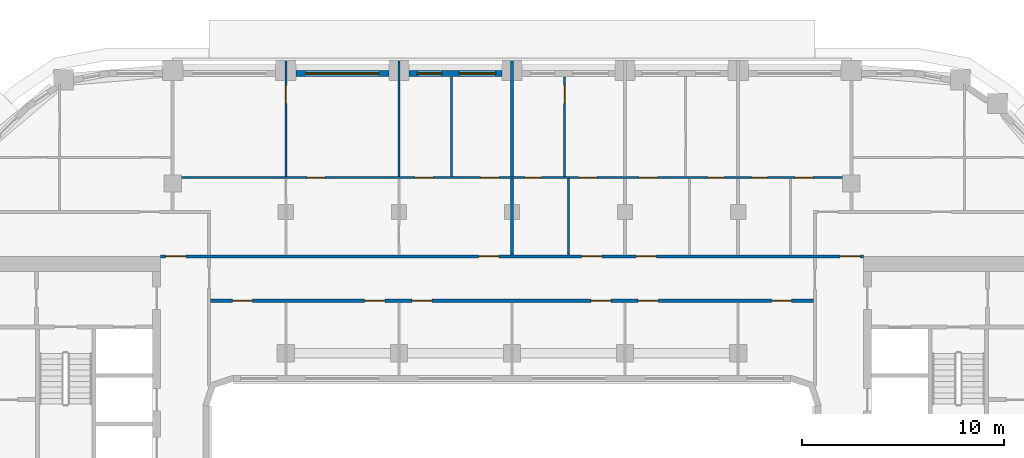
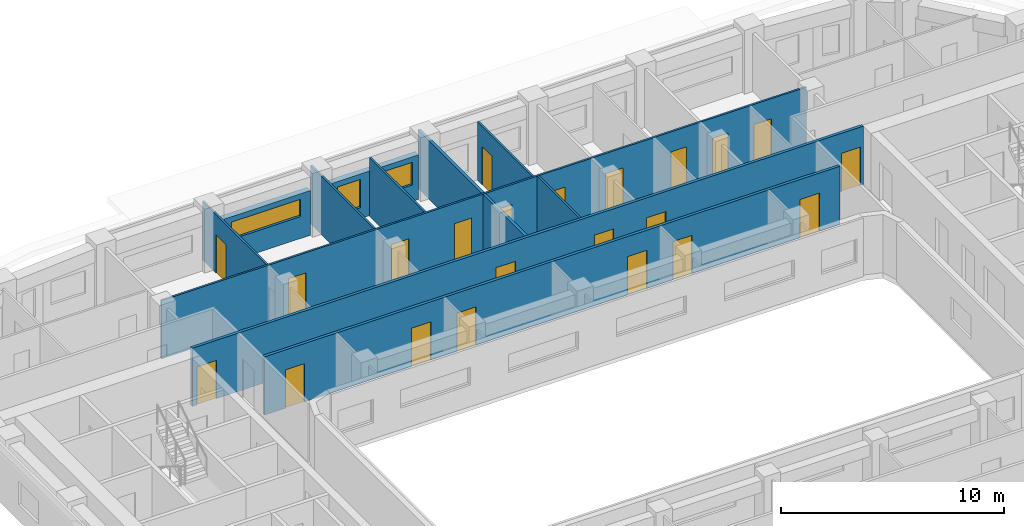
# One storey, part 8 of 22: 22 doors, 12 walls, 3 windows, 25 openings.
"""IFC4 building model written with IfcOpenShell, lengths in metres."""

import ifcopenshell
import ifcopenshell.guid

model = None  # the IFC model being written
_history = None  # IfcOwnerHistory: only IFC2X3 demands one
_inside = {}  # id of a spatial element -> (the spatial element, [elements in it])
_under = {}  # id of a project, library or spatial element -> (it, [spatial elements below it])
_declared = {}  # id of a project -> (the project, [libraries it declares])
_typed = {}  # id of a type object -> (the type object, [elements of that type])
_made_of = {}  # id of a material, layer set ... -> (it, [elements and type objects made of it])


def new_model(schema):
    """Start an empty IFC model of exactly this schema.

    Asked for "IFC4X3", IfcOpenShell would pick the latest addendum, in which some entities
    have other attributes; the version numbers below select the first issue.
    IFC2X3 requires an IfcOwnerHistory on every rooted entity: one is made here for all.
    """
    global model, _history
    if schema == "IFC4X3":
        model = ifcopenshell.file(schema_version=(4, 3, 0, 0))
    else:
        model = ifcopenshell.file(schema=schema)
    _inside.clear()
    _under.clear()
    _declared.clear()
    _typed.clear()
    _made_of.clear()
    _history = None
    if model.schema == "IFC2X3":
        org = make("IfcOrganization", Name="unknown")
        user = make(
            "IfcPersonAndOrganization",
            ThePerson=make("IfcPerson", FamilyName="unknown"),
            TheOrganization=org,
        )
        app = make(
            "IfcApplication",
            ApplicationDeveloper=org,
            Version="unknown",
            ApplicationFullName="unknown",
            ApplicationIdentifier="unknown",
        )
        _history = make(
            "IfcOwnerHistory",
            OwningUser=user,
            OwningApplication=app,
            ChangeAction="ADDED",
            CreationDate=0,
        )
    return model


def make(cls, **values):
    """One entity of the class cls with the attributes given. An attribute that is None is left unset."""
    return model.create_entity(
        cls, **{name: value for name, value in values.items() if value is not None}
    )


def rooted(cls, **values):
    """An entity with a GlobalId (a new one), such as an element, a storey or a relation."""
    return make(cls, GlobalId=ifcopenshell.guid.new(), OwnerHistory=_history, **values)


def si_unit(unit_type, name, prefix=None):
    """IfcSIUnit, for example si_unit("LENGTHUNIT", "METRE", prefix="MILLI")."""
    return make("IfcSIUnit", UnitType=unit_type, Prefix=prefix, Name=name)


def assignment(units):
    """IfcUnitAssignment: the units of a project."""
    return None if units is None else make("IfcUnitAssignment", Units=units)


def point(xyz):
    """IfcCartesianPoint."""
    return None if xyz is None else make("IfcCartesianPoint", Coordinates=xyz)


def direction(xyz):
    """IfcDirection."""
    return None if xyz is None else make("IfcDirection", DirectionRatios=xyz)


def frame(location, z_axis=None, x_axis=None):
    """IfcAxis2Placement3D, a coordinate frame: its origin and axes. An axis left out is left unset."""
    return make(
        "IfcAxis2Placement3D",
        Location=point(location),
        Axis=direction(z_axis),
        RefDirection=direction(x_axis),
    )


def frame_2d(location, x_axis=None):
    """IfcAxis2Placement2D, a coordinate frame in the plane: its origin and x axis."""
    return make(
        "IfcAxis2Placement2D", Location=point(location), RefDirection=direction(x_axis)
    )


def origin():
    """The frame at (0, 0, 0) with its axes left unset."""
    return frame((0.0, 0.0, 0.0))


def place(relative_to, where):
    """IfcLocalPlacement: puts the frame where relative to a parent placement (None: the world)."""
    return make(
        "IfcLocalPlacement", PlacementRelTo=relative_to, RelativePlacement=where
    )


def context(
    kind, dimensions, precision=None, world=None, true_north=None, identifier=None
):
    """IfcGeometricRepresentationContext, for example the 3D "Model" context."""
    return make(
        "IfcGeometricRepresentationContext",
        ContextIdentifier=identifier,
        ContextType=kind,
        CoordinateSpaceDimension=dimensions,
        Precision=precision,
        WorldCoordinateSystem=world,
        TrueNorth=true_north,
    )


def subcontext(parent, identifier, kind, view, scale=None):
    """IfcGeometricRepresentationSubContext, for example "Body" below "Model"."""
    return make(
        "IfcGeometricRepresentationSubContext",
        ContextIdentifier=identifier,
        ContextType=kind,
        ParentContext=parent,
        TargetScale=scale,
        TargetView=view,
    )


def project(units=None, contexts=None):
    """IfcProject with its units and contexts."""
    return rooted(
        "IfcProject",
        Name="project",
        RepresentationContexts=contexts,
        UnitsInContext=assignment(units),
    )


def spatial(cls, under=None, at=None, **own):
    """A site, building, storey or space (cls), placed at a placement, below another one or the project."""
    s = rooted(cls, ObjectPlacement=at, **own)
    if under is not None:
        _under.setdefault(under.id(), (under, []))[1].append(s)
    return s


def profile(cls, at=None, kind="AREA", **sizes):
    """A parametric profile (cls). Its sizes go by their IFC names, for example OverallWidth=200.0."""
    return make(cls, ProfileType=kind, Position=at, **sizes)


def rectangle(**sizes):
    """IfcRectangleProfileDef."""
    return profile("IfcRectangleProfileDef", **sizes)


def extrude(swept, where, along, depth):
    """IfcExtrudedAreaSolid: the profile swept, set in the frame where, extruded along a direction by depth."""
    return make(
        "IfcExtrudedAreaSolid",
        SweptArea=swept,
        Position=where,
        ExtrudedDirection=direction(along),
        Depth=depth,
    )


def shape(context_of_items, identifier, shape_type, items):
    """IfcShapeRepresentation: the items that make up one representation, for example the "Body"."""
    return make(
        "IfcShapeRepresentation",
        ContextOfItems=context_of_items,
        RepresentationIdentifier=identifier,
        RepresentationType=shape_type,
        Items=items,
    )


def material(Name=None, Category=None):
    """IfcMaterial."""
    return make("IfcMaterial", Name=Name, Category=Category)


def layer(
    of_material, thickness, ventilated=None, Name=None, Category=None, Priority=None
):
    """IfcMaterialLayer: one layer of a wall or slab, of a material (None: an air gap)."""
    return make(
        "IfcMaterialLayer",
        Material=of_material,
        LayerThickness=thickness,
        IsVentilated=ventilated,
        Name=Name,
        Category=Category,
        Priority=Priority,
    )


def layer_set(layers, Name=None):
    """IfcMaterialLayerSet."""
    return make("IfcMaterialLayerSet", MaterialLayers=layers, LayerSetName=Name)


def made_of(thing, what):
    """Note that an element or type object is made of a material, layer set ...; save() writes the relation."""
    if what is not None:
        _made_of.setdefault(what.id(), (what, []))[1].append(thing)
    return thing


def type_object(cls, material=None, **own):
    """A type object (cls), such as IfcWallType, which elements share."""
    return made_of(rooted(cls, **own), material)


def element(
    cls,
    number,
    at=None,
    inside=None,
    cuts=None,
    type_object=None,
    material=None,
    context=None,
    identifier="Body",
    shape_type=None,
    held_by="IfcProductDefinitionShape",
    body=None,
    shapes=None,
    **own,
):
    """One element of the class cls, such as IfcWall. Its Tag is "e" and its number.

    at: its placement. inside: the storey or other place that contains it. cuts: it is an
    opening in that element (IfcRelVoidsElement). A single representation is given by context,
    identifier, shape_type and body (its items); several are given by shapes. held_by: the class
    of the entity that holds the representations. save() writes the other relations.
    """
    e = rooted(cls, Tag="e%d" % number, ObjectPlacement=at, **own)
    if body is not None:
        shapes = [shape(context, identifier, shape_type, body)]
    if shapes is not None:
        e.Representation = make(held_by, Representations=shapes)
    if inside is not None:
        _inside.setdefault(inside.id(), (inside, []))[1].append(e)
    if cuts is not None:
        rooted(
            "IfcRelVoidsElement", RelatingBuildingElement=cuts, RelatedOpeningElement=e
        )
    if type_object is not None:
        _typed.setdefault(type_object.id(), (type_object, []))[1].append(e)
    return made_of(e, material)


def fill(opening, filler):
    """IfcRelFillsElement: the door or window that sits in an opening."""
    return rooted(
        "IfcRelFillsElement",
        RelatingOpeningElement=opening,
        RelatedBuildingElement=filler,
    )


def aggregate(whole, parts):
    """IfcRelAggregates: a whole, such as a stair, and the parts it consists of."""
    return rooted("IfcRelAggregates", RelatingObject=whole, RelatedObjects=parts)


def save(model, path):
    """Write the relations noted so far, then the file.

    IfcRelAggregates (storeys below a building ...), IfcRelContainedInSpatialStructure (elements
    in a storey), IfcRelDefinesByType, IfcRelAssociatesMaterial and IfcRelDeclares: one each for
    every whole, place, type object, material and project.
    """
    for whole, parts in _under.values():
        aggregate(whole, parts)
    for where, things in _inside.values():
        rooted(
            "IfcRelContainedInSpatialStructure",
            RelatedElements=things,
            RelatingStructure=where,
        )
    for kind, things in _typed.values():
        rooted("IfcRelDefinesByType", RelatedObjects=things, RelatingType=kind)
    for what, things in _made_of.values():
        rooted("IfcRelAssociatesMaterial", RelatedObjects=things, RelatingMaterial=what)
    for by, libraries in _declared.values():
        rooted("IfcRelDeclares", RelatingContext=by, RelatedDefinitions=libraries)
    model.write(path)


model = new_model("IFC4")

# Units and contexts
model_context = context("Model", 3, precision=1e-05, world=origin(), true_north=direction((0.0, 1.0)))
body_context = subcontext(model_context, "Body", "Model", "MODEL_VIEW")
ifc_project = project(units=[si_unit("LENGTHUNIT", "METRE"), si_unit("AREAUNIT", "SQUARE_METRE"), si_unit("VOLUMEUNIT", "CUBIC_METRE"), si_unit("PLANEANGLEUNIT", "RADIAN"), si_unit("MASSUNIT", "GRAM", prefix="KILO")], contexts=[model_context])

# Site, building, storey
site_placement = place(None, origin())
site = spatial("IfcSite", under=ifc_project, at=site_placement, CompositionType="ELEMENT")
building_placement = place(site_placement, origin())
building = spatial("IfcBuilding", under=site, at=building_placement, Name="Kiln Ring Residences", CompositionType="ELEMENT")
storey_placement = place(building_placement, frame((0.0, 0.0, 164.10009765625)))
storey = spatial("IfcBuildingStorey", under=building, at=storey_placement, Name="L42", CompositionType="ELEMENT", Elevation=164.10009765625)

# Wall, openings, windows
ifc_material_1 = material(Name="Brick masonry, dark clay brick", Category="masonry")
ifc_layer_1 = layer(ifc_material_1, 0.300048828125)
ifc_layer_set_1 = layer_set([ifc_layer_1], Name="EW-300 BRICK WALL")
wall_type_1 = type_object("IfcWallType", Name="EW-300 BRICK WALL", PredefinedType="SOLIDWALL", material=ifc_layer_set_1)
wall_1_placement = place(storey_placement, frame((-0.5, 22.25, 0.0), z_axis=(0.0, 0.0, 1.0), x_axis=(-1.0, 0.0, 0.0)))
wall_1 = element("IfcWall", 1, at=wall_1_placement, inside=storey, type_object=wall_type_1, Name="Facade wall L42 32", PredefinedType="SOLIDWALL", context=body_context, shape_type="SweptSolid", body=[
    extrude(rectangle(XDim=4.60009765625, YDim=0.300048828125, at=frame_2d((2.300048828125, 0.0))), origin(), (0.0, 0.0, 1.0), 2.449951171875),
])
opening_1_placement = place(wall_1_placement, frame((0.3125, 0.0, 0.89990234375)))
opening_1 = element("IfcOpeningElement", 2, at=opening_1_placement, cuts=wall_1, Name="Opening W2", PredefinedType="OPENING", context=body_context, shape_type="SweptSolid", body=[
    extrude(rectangle(XDim=1.800048828125, YDim=1.25, at=frame_2d((0.89990234375, 0.625))), frame((0.0, 0.159912109375, 0.0), z_axis=(0.0, -1.0, 0.0), x_axis=(1.0, 0.0, 0.0)), (0.0, 0.0, 1.0), 0.320068359375),
])
opening_2_placement = place(wall_1_placement, frame((2.987548828125, 0.0, 0.60009765625)))
opening_2 = element("IfcOpeningElement", 3, at=opening_2_placement, cuts=wall_1, Name="Opening W1", PredefinedType="OPENING", context=body_context, shape_type="SweptSolid", body=[
    extrude(rectangle(XDim=1.199951171875, YDim=1.550048828125, at=frame_2d((0.60009765625, 0.77490234375))), frame((0.0, 0.159912109375, 0.0), z_axis=(0.0, -1.0, 0.0), x_axis=(1.0, 0.0, 0.0)), (0.0, 0.0, 1.0), 0.320068359375),
])
ifc_material_2 = material(Name="Aluminium frame with double glazing", Category="aluminium")
window_type_1 = type_object("IfcWindowType", Name="WINDOW 1200 x 1550", PartitioningType="SINGLE_PANEL", PredefinedType="WINDOW", material=ifc_material_2)
window_1_placement = place(opening_2_placement, origin())
window_1 = element("IfcWindow", 4, at=window_1_placement, inside=storey, type_object=window_type_1, Name="Window L42 25", OverallHeight=1.550048828125, OverallWidth=1.199951171875, PartitioningType="SINGLE_PANEL", PredefinedType="WINDOW", context=body_context, shape_type="SweptSolid", body=[
    extrude(rectangle(XDim=1.199951171875, YDim=1.550048828125, at=frame_2d((0.60009765625, 0.77490234375))), frame((0.0, 0.030029296875, 0.0), z_axis=(0.0, -1.0, 0.0), x_axis=(1.0, 0.0, 0.0)), (0.0, 0.0, 1.0), 0.06005859375),
])
fill(opening_2, window_1)
ifc_material_3 = material(Name="Aluminium frame with double glazing", Category="aluminium")
window_type_2 = type_object("IfcWindowType", Name="WINDOW 1800 x 1250", PartitioningType="SINGLE_PANEL", PredefinedType="WINDOW", material=ifc_material_3)
window_2_placement = place(opening_1_placement, origin())
window_2 = element("IfcWindow", 5, at=window_2_placement, inside=storey, type_object=window_type_2, Name="Window L42 24", OverallHeight=1.25, OverallWidth=1.800048828125, PartitioningType="SINGLE_PANEL", PredefinedType="WINDOW", context=body_context, shape_type="SweptSolid", body=[
    extrude(rectangle(XDim=1.800048828125, YDim=1.25, at=frame_2d((0.89990234375, 0.625))), frame((0.0, 0.030029296875, 0.0), z_axis=(0.0, -1.0, 0.0), x_axis=(1.0, 0.0, 0.0)), (0.0, 0.0, 1.0), 0.06005859375),
])
fill(opening_1, window_2)

# Wall, opening, window
wall_2_placement = place(storey_placement, frame((-6.10009765625, 22.25, 0.0), z_axis=(0.0, 0.0, 1.0), x_axis=(-1.0, 0.0, 0.0)))
wall_2 = element("IfcWall", 6, at=wall_2_placement, inside=storey, type_object=wall_type_1, Name="Facade wall L42 33", PredefinedType="SOLIDWALL", context=body_context, shape_type="SweptSolid", body=[
    extrude(rectangle(XDim=4.599853515625, YDim=0.300048828125, at=frame_2d((2.2998046875, 0.0))), origin(), (0.0, 0.0, 1.0), 2.449951171875),
])
opening_3_placement = place(wall_2_placement, frame((0.5, 0.0, 1.199951171875)))
opening_3 = element("IfcOpeningElement", 7, at=opening_3_placement, cuts=wall_2, Name="Opening W4", PredefinedType="OPENING", context=body_context, shape_type="SweptSolid", body=[
    extrude(rectangle(XDim=3.60009765625, YDim=0.949951171875, at=frame_2d((1.800048828125, 0.47509765625))), frame((0.0, 0.159912109375, 0.0), z_axis=(0.0, -1.0, 0.0), x_axis=(1.0, 0.0, 0.0)), (0.0, 0.0, 1.0), 0.320068359375),
])
ifc_material_4 = material(Name="Aluminium frame with double glazing", Category="aluminium")
window_type_3 = type_object("IfcWindowType", Name="WINDOW 3600 x 950", PartitioningType="SINGLE_PANEL", PredefinedType="WINDOW", material=ifc_material_4)
window_3_placement = place(opening_3_placement, origin())
window_3 = element("IfcWindow", 8, at=window_3_placement, inside=storey, type_object=window_type_3, Name="Window L42 26", OverallHeight=0.949951171875, OverallWidth=3.60009765625, PartitioningType="SINGLE_PANEL", PredefinedType="WINDOW", context=body_context, shape_type="SweptSolid", body=[
    extrude(rectangle(XDim=3.60009765625, YDim=0.949951171875, at=frame_2d((1.800048828125, 0.47509765625))), frame((0.0, 0.030029296875, 0.0), z_axis=(0.0, -1.0, 0.0), x_axis=(1.0, 0.0, 0.0)), (0.0, 0.0, 1.0), 0.06005859375),
])
fill(opening_3, window_3)

# Wall, openings, doors
ifc_material_5 = material(Name="Gypsum board on steel studs", Category="steel")
ifc_layer_2 = layer(ifc_material_5, 0.10009765625)
ifc_layer_set_2 = layer_set([ifc_layer_2], Name="PARTITION-100")
wall_type_2 = type_object("IfcWallType", Name="PARTITION-100", PredefinedType="PARTITIONING", material=ifc_layer_set_2)
wall_3_placement = place(storey_placement, frame((-16.72509765625, 17.10009765625, 0.0), z_axis=(0.0, 0.0, 1.0), x_axis=(1.0, 0.0, 0.0)))
wall_3 = element("IfcWall", 9, at=wall_3_placement, inside=storey, type_object=wall_type_2, Name="Partition 011", PredefinedType="PARTITIONING", context=body_context, shape_type="SweptSolid", body=[
    extrude(rectangle(XDim=33.4501953125, YDim=0.10009765625, at=frame_2d((16.72509765625, 0.0))), origin(), (0.0, 0.0, 1.0), 3.199951171875),
])
opening_4_placement = place(wall_3_placement, frame((11.925048828125, 0.0, 0.0)))
opening_4 = element("IfcOpeningElement", 10, at=opening_4_placement, cuts=wall_3, Name="Opening L42-D018", PredefinedType="OPENING", context=body_context, shape_type="SweptSolid", body=[
    extrude(rectangle(XDim=0.89990234375, YDim=2.10009765625, at=frame_2d((0.449951171875, 1.050048828125))), frame((0.0, 0.06005859375, 0.0), z_axis=(0.0, -1.0, 0.0), x_axis=(1.0, 0.0, 0.0)), (0.0, 0.0, 1.0), 0.1201171875),
])
opening_5_placement = place(wall_3_placement, frame((15.175048828125, 0.0, 0.0)))
opening_5 = element("IfcOpeningElement", 11, at=opening_5_placement, cuts=wall_3, Name="Opening L42-D019", PredefinedType="OPENING", context=body_context, shape_type="SweptSolid", body=[
    extrude(rectangle(XDim=0.89990234375, YDim=2.10009765625, at=frame_2d((0.449951171875, 1.050048828125))), frame((0.0, 0.06005859375, 0.0), z_axis=(0.0, -1.0, 0.0), x_axis=(1.0, 0.0, 0.0)), (0.0, 0.0, 1.0), 0.1201171875),
])
opening_6_placement = place(wall_3_placement, frame((6.574951171875, 0.0, 0.0)))
opening_6 = element("IfcOpeningElement", 12, at=opening_6_placement, cuts=wall_3, Name="Opening L42-D020", PredefinedType="OPENING", context=body_context, shape_type="SweptSolid", body=[
    extrude(rectangle(XDim=0.89990234375, YDim=2.10009765625, at=frame_2d((0.449951171875, 1.050048828125))), frame((0.0, 0.06005859375, 0.0), z_axis=(0.0, -1.0, 0.0), x_axis=(1.0, 0.0, 0.0)), (0.0, 0.0, 1.0), 0.1201171875),
])
opening_7_placement = place(wall_3_placement, frame((17.375, 0.0, 0.0)))
opening_7 = element("IfcOpeningElement", 13, at=opening_7_placement, cuts=wall_3, Name="Opening L42-D023", PredefinedType="OPENING", context=body_context, shape_type="SweptSolid", body=[
    extrude(rectangle(XDim=0.800048828125, YDim=2.10009765625, at=frame_2d((0.39990234375, 1.050048828125))), frame((0.0, 0.06005859375, 0.0), z_axis=(0.0, -1.0, 0.0), x_axis=(1.0, 0.0, 0.0)), (0.0, 0.0, 1.0), 0.1201171875),
])
opening_8_placement = place(wall_3_placement, frame((20.02490234375, 0.0, 0.0)))
opening_8 = element("IfcOpeningElement", 14, at=opening_8_placement, cuts=wall_3, Name="Opening L42-D024", PredefinedType="OPENING", context=body_context, shape_type="SweptSolid", body=[
    extrude(rectangle(XDim=0.89990234375, YDim=2.10009765625, at=frame_2d((0.449951171875, 1.050048828125))), frame((0.0, 0.06005859375, 0.0), z_axis=(0.0, -1.0, 0.0), x_axis=(1.0, 0.0, 0.0)), (0.0, 0.0, 1.0), 0.1201171875),
])
opening_9_placement = place(wall_3_placement, frame((26.425048828125, 0.0, 0.0)))
opening_9 = element("IfcOpeningElement", 15, at=opening_9_placement, cuts=wall_3, Name="Opening L42-D027", PredefinedType="OPENING", context=body_context, shape_type="SweptSolid", body=[
    extrude(rectangle(XDim=0.800048828125, YDim=2.10009765625, at=frame_2d((0.39990234375, 1.050048828125))), frame((0.0, 0.06005859375, 0.0), z_axis=(0.0, -1.0, 0.0), x_axis=(1.0, 0.0, 0.0)), (0.0, 0.0, 1.0), 0.1201171875),
])
opening_10_placement = place(wall_3_placement, frame((23.02490234375, 0.0, 0.0)))
opening_10 = element("IfcOpeningElement", 16, at=opening_10_placement, cuts=wall_3, Name="Opening L42-D028", PredefinedType="OPENING", context=body_context, shape_type="SweptSolid", body=[
    extrude(rectangle(XDim=0.89990234375, YDim=2.10009765625, at=frame_2d((0.449951171875, 1.050048828125))), frame((0.0, 0.06005859375, 0.0), z_axis=(0.0, -1.0, 0.0), x_axis=(1.0, 0.0, 0.0)), (0.0, 0.0, 1.0), 0.1201171875),
])
opening_11_placement = place(wall_3_placement, frame((28.574951171875, 0.0, 0.0)))
opening_11 = element("IfcOpeningElement", 17, at=opening_11_placement, cuts=wall_3, Name="Opening L42-D031", PredefinedType="OPENING", context=body_context, shape_type="SweptSolid", body=[
    extrude(rectangle(XDim=0.800048828125, YDim=2.10009765625, at=frame_2d((0.39990234375, 1.050048828125))), frame((0.0, 0.06005859375, 0.0), z_axis=(0.0, -1.0, 0.0), x_axis=(1.0, 0.0, 0.0)), (0.0, 0.0, 1.0), 0.1201171875),
])
opening_12_placement = place(wall_3_placement, frame((30.72509765625, 0.0, 0.0)))
opening_12 = element("IfcOpeningElement", 18, at=opening_12_placement, cuts=wall_3, Name="Opening L42-D032", PredefinedType="OPENING", context=body_context, shape_type="SweptSolid", body=[
    extrude(rectangle(XDim=0.89990234375, YDim=2.10009765625, at=frame_2d((0.449951171875, 1.050048828125))), frame((0.0, 0.06005859375, 0.0), z_axis=(0.0, -1.0, 0.0), x_axis=(1.0, 0.0, 0.0)), (0.0, 0.0, 1.0), 0.1201171875),
])
ifc_material_6 = material(Name="Timber door leaf", Category="wood")
door_type_1 = type_object("IfcDoorType", Name="FLAT-DOOR-800-PL", OperationType="SINGLE_SWING_LEFT", PredefinedType="DOOR", material=ifc_material_6)
door_1_placement = place(opening_7_placement, origin())
door_1 = element("IfcDoor", 19, at=door_1_placement, inside=storey, type_object=door_type_1, Name="Door L42-D023", OperationType="SINGLE_SWING_LEFT", OverallHeight=2.10009765625, OverallWidth=0.800048828125, PredefinedType="DOOR", context=body_context, shape_type="SweptSolid", body=[
    extrude(rectangle(XDim=0.800048828125, YDim=2.10009765625, at=frame_2d((0.39990234375, 1.050048828125))), frame((0.0, 0.02490234375, 0.0), z_axis=(0.0, -1.0, 0.0), x_axis=(1.0, 0.0, 0.0)), (0.0, 0.0, 1.0), 0.050048828125),
])
fill(opening_7, door_1)
door_2_placement = place(opening_9_placement, origin())
door_2 = element("IfcDoor", 20, at=door_2_placement, inside=storey, type_object=door_type_1, Name="Door L42-D027", OperationType="SINGLE_SWING_LEFT", OverallHeight=2.10009765625, OverallWidth=0.800048828125, PredefinedType="DOOR", context=body_context, shape_type="SweptSolid", body=[
    extrude(rectangle(XDim=0.800048828125, YDim=2.10009765625, at=frame_2d((0.39990234375, 1.050048828125))), frame((0.0, 0.02490234375, 0.0), z_axis=(0.0, -1.0, 0.0), x_axis=(1.0, 0.0, 0.0)), (0.0, 0.0, 1.0), 0.050048828125),
])
fill(opening_9, door_2)
door_3_placement = place(opening_11_placement, origin())
door_3 = element("IfcDoor", 21, at=door_3_placement, inside=storey, type_object=door_type_1, Name="Door L42-D031", OperationType="SINGLE_SWING_LEFT", OverallHeight=2.10009765625, OverallWidth=0.800048828125, PredefinedType="DOOR", context=body_context, shape_type="SweptSolid", body=[
    extrude(rectangle(XDim=0.800048828125, YDim=2.10009765625, at=frame_2d((0.39990234375, 1.050048828125))), frame((0.0, 0.02490234375, 0.0), z_axis=(0.0, -1.0, 0.0), x_axis=(1.0, 0.0, 0.0)), (0.0, 0.0, 1.0), 0.050048828125),
])
fill(opening_11, door_3)
ifc_material_7 = material(Name="Timber door leaf", Category="wood")
door_type_2 = type_object("IfcDoorType", Name="FLAT-DOOR-900-PL", OperationType="SINGLE_SWING_LEFT", PredefinedType="DOOR", material=ifc_material_7)
door_4_placement = place(opening_4_placement, origin())
door_4 = element("IfcDoor", 22, at=door_4_placement, inside=storey, type_object=door_type_2, Name="Door L42-D018", OperationType="SINGLE_SWING_RIGHT", OverallHeight=2.10009765625, OverallWidth=0.89990234375, PredefinedType="DOOR", context=body_context, shape_type="SweptSolid", body=[
    extrude(rectangle(XDim=0.89990234375, YDim=2.10009765625, at=frame_2d((0.449951171875, 1.050048828125))), frame((0.0, 0.02490234375, 0.0), z_axis=(0.0, -1.0, 0.0), x_axis=(1.0, 0.0, 0.0)), (0.0, 0.0, 1.0), 0.050048828125),
])
fill(opening_4, door_4)
door_5_placement = place(opening_5_placement, origin())
door_5 = element("IfcDoor", 23, at=door_5_placement, inside=storey, type_object=door_type_2, Name="Door L42-D019", OperationType="SINGLE_SWING_LEFT", OverallHeight=2.10009765625, OverallWidth=0.89990234375, PredefinedType="DOOR", context=body_context, shape_type="SweptSolid", body=[
    extrude(rectangle(XDim=0.89990234375, YDim=2.10009765625, at=frame_2d((0.449951171875, 1.050048828125))), frame((0.0, 0.02490234375, 0.0), z_axis=(0.0, -1.0, 0.0), x_axis=(1.0, 0.0, 0.0)), (0.0, 0.0, 1.0), 0.050048828125),
])
fill(opening_5, door_5)
door_6_placement = place(opening_6_placement, origin())
door_6 = element("IfcDoor", 24, at=door_6_placement, inside=storey, type_object=door_type_2, Name="Door L42-D020", OperationType="SINGLE_SWING_RIGHT", OverallHeight=2.10009765625, OverallWidth=0.89990234375, PredefinedType="DOOR", context=body_context, shape_type="SweptSolid", body=[
    extrude(rectangle(XDim=0.89990234375, YDim=2.10009765625, at=frame_2d((0.449951171875, 1.050048828125))), frame((0.0, 0.02490234375, 0.0), z_axis=(0.0, -1.0, 0.0), x_axis=(1.0, 0.0, 0.0)), (0.0, 0.0, 1.0), 0.050048828125),
])
fill(opening_6, door_6)
door_7_placement = place(opening_8_placement, origin())
door_7 = element("IfcDoor", 25, at=door_7_placement, inside=storey, type_object=door_type_2, Name="Door L42-D024", OperationType="SINGLE_SWING_RIGHT", OverallHeight=2.10009765625, OverallWidth=0.89990234375, PredefinedType="DOOR", context=body_context, shape_type="SweptSolid", body=[
    extrude(rectangle(XDim=0.89990234375, YDim=2.10009765625, at=frame_2d((0.449951171875, 1.050048828125))), frame((0.0, 0.02490234375, 0.0), z_axis=(0.0, -1.0, 0.0), x_axis=(1.0, 0.0, 0.0)), (0.0, 0.0, 1.0), 0.050048828125),
])
fill(opening_8, door_7)
door_8_placement = place(opening_10_placement, origin())
door_8 = element("IfcDoor", 26, at=door_8_placement, inside=storey, type_object=door_type_2, Name="Door L42-D028", OperationType="SINGLE_SWING_RIGHT", OverallHeight=2.10009765625, OverallWidth=0.89990234375, PredefinedType="DOOR", context=body_context, shape_type="SweptSolid", body=[
    extrude(rectangle(XDim=0.89990234375, YDim=2.10009765625, at=frame_2d((0.449951171875, 1.050048828125))), frame((0.0, 0.02490234375, 0.0), z_axis=(0.0, -1.0, 0.0), x_axis=(1.0, 0.0, 0.0)), (0.0, 0.0, 1.0), 0.050048828125),
])
fill(opening_10, door_8)
door_9_placement = place(opening_12_placement, origin())
door_9 = element("IfcDoor", 27, at=door_9_placement, inside=storey, type_object=door_type_2, Name="Door L42-D032", OperationType="SINGLE_SWING_RIGHT", OverallHeight=2.10009765625, OverallWidth=0.89990234375, PredefinedType="DOOR", context=body_context, shape_type="SweptSolid", body=[
    extrude(rectangle(XDim=0.89990234375, YDim=2.10009765625, at=frame_2d((0.449951171875, 1.050048828125))), frame((0.0, 0.02490234375, 0.0), z_axis=(0.0, -1.0, 0.0), x_axis=(1.0, 0.0, 0.0)), (0.0, 0.0, 1.0), 0.050048828125),
])
fill(opening_12, door_9)

# Wall, opening, door
wall_4_placement = place(storey_placement, frame((-11.199951171875, 17.14990234375, 0.0), z_axis=(0.0, 0.0, 1.0), x_axis=(0.0, 1.0, 0.0)))
wall_4 = element("IfcWall", 28, at=wall_4_placement, inside=storey, type_object=wall_type_2, Name="Partition 029", PredefinedType="PARTITIONING", context=body_context, shape_type="SweptSolid", body=[
    extrude(rectangle(XDim=5.72998046875, YDim=0.10009765625, at=frame_2d((2.864990234375, 0.0))), origin(), (0.0, 0.0, 1.0), 3.199951171875),
])
opening_13_placement = place(wall_4_placement, frame((3.610107421875, 0.0, 0.0)))
opening_13 = element("IfcOpeningElement", 29, at=opening_13_placement, cuts=wall_4, Name="Opening L42-D021", PredefinedType="OPENING", context=body_context, shape_type="SweptSolid", body=[
    extrude(rectangle(XDim=0.89990234375, YDim=2.10009765625, at=frame_2d((0.449951171875, 1.050048828125))), frame((0.0, 0.06005859375, 0.0), z_axis=(0.0, -1.0, 0.0), x_axis=(1.0, 0.0, 0.0)), (0.0, 0.0, 1.0), 0.1201171875),
])
door_10_placement = place(opening_13_placement, origin())
door_10 = element("IfcDoor", 30, at=door_10_placement, inside=storey, type_object=door_type_2, Name="Door L42-D021", OperationType="SINGLE_SWING_LEFT", OverallHeight=2.10009765625, OverallWidth=0.89990234375, PredefinedType="DOOR", context=body_context, shape_type="SweptSolid", body=[
    extrude(rectangle(XDim=0.89990234375, YDim=2.10009765625, at=frame_2d((0.449951171875, 1.050048828125))), frame((0.0, 0.02490234375, 0.0), z_axis=(0.0, -1.0, 0.0), x_axis=(1.0, 0.0, 0.0)), (0.0, 0.0, 1.0), 0.050048828125),
])
fill(opening_13, door_10)

# Walls
wall_5_placement = place(storey_placement, frame((-5.60009765625, 17.14990234375, 0.0), z_axis=(0.0, 0.0, 1.0), x_axis=(0.0, 1.0, 0.0)))
element("IfcWall", 31, at=wall_5_placement, inside=storey, type_object=wall_type_2, Name="Partition 036", PredefinedType="PARTITIONING", context=body_context, shape_type="SweptSolid", body=[
    extrude(rectangle(XDim=5.72998046875, YDim=0.10009765625, at=frame_2d((2.864990234375, 0.0))), origin(), (0.0, 0.0, 1.0), 3.199951171875),
])
wall_6_placement = place(storey_placement, frame((-3.0, 17.14990234375, 0.0), z_axis=(0.0, 0.0, 1.0), x_axis=(0.0, 1.0, 0.0)))
element("IfcWall", 32, at=wall_6_placement, inside=storey, type_object=wall_type_2, Name="Partition 039", PredefinedType="PARTITIONING", context=body_context, shape_type="SweptSolid", body=[
    extrude(rectangle(XDim=4.93017578125, YDim=0.10009765625, at=frame_2d((2.465087890625, 0.0))), origin(), (0.0, 0.0, 1.0), 3.199951171875),
])

# Wall, opening, door
wall_7_placement = place(storey_placement, frame((2.60009765625, 17.14990234375, 0.0), z_axis=(0.0, 0.0, 1.0), x_axis=(0.0, 1.0, 0.0)))
wall_7 = element("IfcWall", 33, at=wall_7_placement, inside=storey, type_object=wall_type_2, Name="Partition 047", PredefinedType="PARTITIONING", context=body_context, shape_type="SweptSolid", body=[
    extrude(rectangle(XDim=4.93017578125, YDim=0.10009765625, at=frame_2d((2.465087890625, 0.0))), origin(), (0.0, 0.0, 1.0), 3.199951171875),
])
opening_14_placement = place(wall_7_placement, frame((3.610107421875, 0.0, 0.0)))
opening_14 = element("IfcOpeningElement", 34, at=opening_14_placement, cuts=wall_7, Name="Opening L42-D025", PredefinedType="OPENING", context=body_context, shape_type="SweptSolid", body=[
    extrude(rectangle(XDim=0.89990234375, YDim=2.10009765625, at=frame_2d((0.449951171875, 1.050048828125))), frame((0.0, 0.06005859375, 0.0), z_axis=(0.0, -1.0, 0.0), x_axis=(1.0, 0.0, 0.0)), (0.0, 0.0, 1.0), 0.1201171875),
])
door_11_placement = place(opening_14_placement, origin())
door_11 = element("IfcDoor", 35, at=door_11_placement, inside=storey, type_object=door_type_2, Name="Door L42-D025", OperationType="SINGLE_SWING_LEFT", OverallHeight=2.10009765625, OverallWidth=0.89990234375, PredefinedType="DOOR", context=body_context, shape_type="SweptSolid", body=[
    extrude(rectangle(XDim=0.89990234375, YDim=2.10009765625, at=frame_2d((0.449951171875, 1.050048828125))), frame((0.0, 0.02490234375, 0.0), z_axis=(0.0, -1.0, 0.0), x_axis=(1.0, 0.0, 0.0)), (0.0, 0.0, 1.0), 0.050048828125),
])
fill(opening_14, door_11)

# Wall
wall_8_placement = place(storey_placement, frame((2.800048828125, 13.27490234375, 0.0), z_axis=(0.0, 0.0, 1.0), x_axis=(0.0, 1.0, 0.0)))
element("IfcWall", 36, at=wall_8_placement, inside=storey, type_object=wall_type_2, Name="Partition 048", PredefinedType="PARTITIONING", context=body_context, shape_type="SweptSolid", body=[
    extrude(rectangle(XDim=3.775146484375, YDim=0.10009765625, at=frame_2d((1.8876953125, 0.0))), origin(), (0.0, 0.0, 1.0), 3.199951171875),
])

# Wall, openings, doors
ifc_material_8 = material(Name="Brick masonry partition", Category="masonry")
ifc_layer_3 = layer(ifc_material_8, 0.14990234375)
ifc_layer_set_3 = layer_set([ifc_layer_3], Name="PARTITION-150-ei60")
wall_type_3 = type_object("IfcWallType", Name="PARTITION-150-ei60", PredefinedType="PARTITIONING", material=ifc_layer_set_3)
wall_9_placement = place(storey_placement, frame((-14.925048828125, 11.0, 0.0), z_axis=(0.0, 0.0, 1.0), x_axis=(1.0, 0.0, 0.0)))
wall_9 = element("IfcWall", 37, at=wall_9_placement, inside=storey, type_object=wall_type_3, Name="Partition 007", PredefinedType="PARTITIONING", context=body_context, shape_type="SweptSolid", body=[
    extrude(rectangle(XDim=29.85009765625, YDim=0.14990234375, at=frame_2d((14.925048828125, 0.0))), origin(), (0.0, 0.0, 1.0), 3.199951171875),
])
opening_15_placement = place(wall_9_placement, frame((1.075927734375, 0.0, 0.0)))
opening_15 = element("IfcOpeningElement", 38, at=opening_15_placement, cuts=wall_9, Name="Opening L42-D009", PredefinedType="OPENING", context=body_context, shape_type="SweptSolid", body=[
    extrude(rectangle(XDim=1.0, YDim=2.10009765625, at=frame_2d((0.5, 1.050048828125))), frame((0.0, 0.0849609375, 0.0), z_axis=(0.0, -1.0, 0.0), x_axis=(1.0, 0.0, 0.0)), (0.0, 0.0, 1.0), 0.169921875),
])
opening_16_placement = place(wall_9_placement, frame((7.625, 0.0, 0.0)))
opening_16 = element("IfcOpeningElement", 39, at=opening_16_placement, cuts=wall_9, Name="Opening L42-D010", PredefinedType="OPENING", context=body_context, shape_type="SweptSolid", body=[
    extrude(rectangle(XDim=1.0, YDim=2.10009765625, at=frame_2d((0.5, 1.050048828125))), frame((0.0, 0.0849609375, 0.0), z_axis=(0.0, -1.0, 0.0), x_axis=(1.0, 0.0, 0.0)), (0.0, 0.0, 1.0), 0.169921875),
])
opening_17_placement = place(wall_9_placement, frame((9.97509765625, 0.0, 0.0)))
opening_17 = element("IfcOpeningElement", 40, at=opening_17_placement, cuts=wall_9, Name="Opening L42-D011", PredefinedType="OPENING", context=body_context, shape_type="SweptSolid", body=[
    extrude(rectangle(XDim=1.0, YDim=2.10009765625, at=frame_2d((0.5, 1.050048828125))), frame((0.0, 0.0849609375, 0.0), z_axis=(0.0, -1.0, 0.0), x_axis=(1.0, 0.0, 0.0)), (0.0, 0.0, 1.0), 0.169921875),
])
opening_18_placement = place(wall_9_placement, frame((18.824951171875, 0.0, 0.0)))
opening_18 = element("IfcOpeningElement", 41, at=opening_18_placement, cuts=wall_9, Name="Opening L42-D012", PredefinedType="OPENING", context=body_context, shape_type="SweptSolid", body=[
    extrude(rectangle(XDim=1.0, YDim=2.10009765625, at=frame_2d((0.5, 1.050048828125))), frame((0.0, 0.0849609375, 0.0), z_axis=(0.0, -1.0, 0.0), x_axis=(1.0, 0.0, 0.0)), (0.0, 0.0, 1.0), 0.169921875),
])
opening_19_placement = place(wall_9_placement, frame((21.175048828125, 0.0, 0.0)))
opening_19 = element("IfcOpeningElement", 42, at=opening_19_placement, cuts=wall_9, Name="Opening L42-D013", PredefinedType="OPENING", context=body_context, shape_type="SweptSolid", body=[
    extrude(rectangle(XDim=1.0, YDim=2.10009765625, at=frame_2d((0.5, 1.050048828125))), frame((0.0, 0.0849609375, 0.0), z_axis=(0.0, -1.0, 0.0), x_axis=(1.0, 0.0, 0.0)), (0.0, 0.0, 1.0), 0.169921875),
])
opening_20_placement = place(wall_9_placement, frame((27.77490234375, 0.0, 0.0)))
opening_20 = element("IfcOpeningElement", 43, at=opening_20_placement, cuts=wall_9, Name="Opening L42-D014", PredefinedType="OPENING", context=body_context, shape_type="SweptSolid", body=[
    extrude(rectangle(XDim=1.0, YDim=2.10009765625, at=frame_2d((0.5, 1.050048828125))), frame((0.0, 0.0849609375, 0.0), z_axis=(0.0, -1.0, 0.0), x_axis=(1.0, 0.0, 0.0)), (0.0, 0.0, 1.0), 0.169921875),
])
ifc_material_9 = material(Name="Steel faced fire door leaf", Category="steel")
door_type_3 = type_object("IfcDoorType", Name="FLAT-DOOR-1000-FR", OperationType="SINGLE_SWING_LEFT", PredefinedType="DOOR", material=ifc_material_9)
door_12_placement = place(opening_15_placement, origin())
door_12 = element("IfcDoor", 44, at=door_12_placement, inside=storey, type_object=door_type_3, Name="Door L42-D009", OperationType="SINGLE_SWING_LEFT", OverallHeight=2.10009765625, OverallWidth=1.0, PredefinedType="DOOR", context=body_context, shape_type="SweptSolid", body=[
    extrude(rectangle(XDim=1.0, YDim=2.10009765625, at=frame_2d((0.5, 1.050048828125))), frame((0.0, 0.02490234375, 0.0), z_axis=(0.0, -1.0, 0.0), x_axis=(1.0, 0.0, 0.0)), (0.0, 0.0, 1.0), 0.050048828125),
])
fill(opening_15, door_12)
door_13_placement = place(opening_16_placement, origin())
door_13 = element("IfcDoor", 45, at=door_13_placement, inside=storey, type_object=door_type_3, Name="Door L42-D010", OperationType="SINGLE_SWING_RIGHT", OverallHeight=2.10009765625, OverallWidth=1.0, PredefinedType="DOOR", context=body_context, shape_type="SweptSolid", body=[
    extrude(rectangle(XDim=1.0, YDim=2.10009765625, at=frame_2d((0.5, 1.050048828125))), frame((0.0, 0.02490234375, 0.0), z_axis=(0.0, -1.0, 0.0), x_axis=(1.0, 0.0, 0.0)), (0.0, 0.0, 1.0), 0.050048828125),
])
fill(opening_16, door_13)
door_14_placement = place(opening_17_placement, origin())
door_14 = element("IfcDoor", 46, at=door_14_placement, inside=storey, type_object=door_type_3, Name="Door L42-D011", OperationType="SINGLE_SWING_LEFT", OverallHeight=2.10009765625, OverallWidth=1.0, PredefinedType="DOOR", context=body_context, shape_type="SweptSolid", body=[
    extrude(rectangle(XDim=1.0, YDim=2.10009765625, at=frame_2d((0.5, 1.050048828125))), frame((0.0, 0.02490234375, 0.0), z_axis=(0.0, -1.0, 0.0), x_axis=(1.0, 0.0, 0.0)), (0.0, 0.0, 1.0), 0.050048828125),
])
fill(opening_17, door_14)
door_15_placement = place(opening_18_placement, origin())
door_15 = element("IfcDoor", 47, at=door_15_placement, inside=storey, type_object=door_type_3, Name="Door L42-D012", OperationType="SINGLE_SWING_RIGHT", OverallHeight=2.10009765625, OverallWidth=1.0, PredefinedType="DOOR", context=body_context, shape_type="SweptSolid", body=[
    extrude(rectangle(XDim=1.0, YDim=2.10009765625, at=frame_2d((0.5, 1.050048828125))), frame((0.0, 0.02490234375, 0.0), z_axis=(0.0, -1.0, 0.0), x_axis=(1.0, 0.0, 0.0)), (0.0, 0.0, 1.0), 0.050048828125),
])
fill(opening_18, door_15)
door_16_placement = place(opening_19_placement, origin())
door_16 = element("IfcDoor", 48, at=door_16_placement, inside=storey, type_object=door_type_3, Name="Door L42-D013", OperationType="SINGLE_SWING_LEFT", OverallHeight=2.10009765625, OverallWidth=1.0, PredefinedType="DOOR", context=body_context, shape_type="SweptSolid", body=[
    extrude(rectangle(XDim=1.0, YDim=2.10009765625, at=frame_2d((0.5, 1.050048828125))), frame((0.0, 0.02490234375, 0.0), z_axis=(0.0, -1.0, 0.0), x_axis=(1.0, 0.0, 0.0)), (0.0, 0.0, 1.0), 0.050048828125),
])
fill(opening_19, door_16)
door_17_placement = place(opening_20_placement, origin())
door_17 = element("IfcDoor", 49, at=door_17_placement, inside=storey, type_object=door_type_3, Name="Door L42-D014", OperationType="SINGLE_SWING_RIGHT", OverallHeight=2.10009765625, OverallWidth=1.0, PredefinedType="DOOR", context=body_context, shape_type="SweptSolid", body=[
    extrude(rectangle(XDim=1.0, YDim=2.10009765625, at=frame_2d((0.5, 1.050048828125))), frame((0.0, 0.02490234375, 0.0), z_axis=(0.0, -1.0, 0.0), x_axis=(1.0, 0.0, 0.0)), (0.0, 0.0, 1.0), 0.050048828125),
])
fill(opening_20, door_17)

wall_10_placement = place(storey_placement, frame((-17.39990234375, 13.199951171875, 0.0), z_axis=(0.0, 0.0, 1.0), x_axis=(1.0, 0.0, 0.0)))
wall_10 = element("IfcWall", 50, at=wall_10_placement, inside=storey, type_object=wall_type_3, Name="Partition 008", PredefinedType="PARTITIONING", context=body_context, shape_type="SweptSolid", body=[
    extrude(rectangle(XDim=34.7998046875, YDim=0.14990234375, at=frame_2d((17.39990234375, 0.0))), origin(), (0.0, 0.0, 1.0), 3.199951171875),
])
opening_21_placement = place(wall_10_placement, frame((0.25, 0.0, 0.0)))
opening_21 = element("IfcOpeningElement", 51, at=opening_21_placement, cuts=wall_10, Name="Opening L42-D003", PredefinedType="OPENING", context=body_context, shape_type="SweptSolid", body=[
    extrude(rectangle(XDim=1.0, YDim=2.10009765625, at=frame_2d((0.5, 1.050048828125))), frame((0.0, 0.0849609375, 0.0), z_axis=(0.0, -1.0, 0.0), x_axis=(1.0, 0.0, 0.0)), (0.0, 0.0, 1.0), 0.169921875),
])
opening_22_placement = place(wall_10_placement, frame((33.64990234375, 0.0, 0.0)))
opening_22 = element("IfcOpeningElement", 52, at=opening_22_placement, cuts=wall_10, Name="Opening L42-D004", PredefinedType="OPENING", context=body_context, shape_type="SweptSolid", body=[
    extrude(rectangle(XDim=1.0, YDim=2.10009765625, at=frame_2d((0.5, 1.050048828125))), frame((0.0, 0.0849609375, 0.0), z_axis=(0.0, -1.0, 0.0), x_axis=(1.0, 0.0, 0.0)), (0.0, 0.0, 1.0), 0.169921875),
])
opening_23_placement = place(wall_10_placement, frame((15.75, 0.0, 0.0)))
opening_23 = element("IfcOpeningElement", 53, at=opening_23_placement, cuts=wall_10, Name="Opening L42-D015", PredefinedType="OPENING", context=body_context, shape_type="SweptSolid", body=[
    extrude(rectangle(XDim=1.0, YDim=2.10009765625, at=frame_2d((0.5, 1.050048828125))), frame((0.0, 0.0849609375, 0.0), z_axis=(0.0, -1.0, 0.0), x_axis=(1.0, 0.0, 0.0)), (0.0, 0.0, 1.0), 0.169921875),
])
opening_24_placement = place(wall_10_placement, frame((20.85009765625, 0.0, 0.0)))
opening_24 = element("IfcOpeningElement", 54, at=opening_24_placement, cuts=wall_10, Name="Opening L42-D022", PredefinedType="OPENING", context=body_context, shape_type="SweptSolid", body=[
    extrude(rectangle(XDim=1.0, YDim=2.10009765625, at=frame_2d((0.5, 1.050048828125))), frame((0.0, 0.0849609375, 0.0), z_axis=(0.0, -1.0, 0.0), x_axis=(1.0, 0.0, 0.0)), (0.0, 0.0, 1.0), 0.169921875),
])
opening_25_placement = place(wall_10_placement, frame((23.550048828125, 0.0, 0.0)))
opening_25 = element("IfcOpeningElement", 55, at=opening_25_placement, cuts=wall_10, Name="Opening L42-D026", PredefinedType="OPENING", context=body_context, shape_type="SweptSolid", body=[
    extrude(rectangle(XDim=1.0, YDim=2.10009765625, at=frame_2d((0.5, 1.050048828125))), frame((0.0, 0.0849609375, 0.0), z_axis=(0.0, -1.0, 0.0), x_axis=(1.0, 0.0, 0.0)), (0.0, 0.0, 1.0), 0.169921875),
])
door_18_placement = place(opening_21_placement, origin())
door_18 = element("IfcDoor", 56, at=door_18_placement, inside=storey, type_object=door_type_3, Name="Door L42-D003", OperationType="SINGLE_SWING_LEFT", OverallHeight=2.10009765625, OverallWidth=1.0, PredefinedType="DOOR", context=body_context, shape_type="SweptSolid", body=[
    extrude(rectangle(XDim=1.0, YDim=2.10009765625, at=frame_2d((0.5, 1.050048828125))), frame((0.0, 0.02490234375, 0.0), z_axis=(0.0, -1.0, 0.0), x_axis=(1.0, 0.0, 0.0)), (0.0, 0.0, 1.0), 0.050048828125),
])
fill(opening_21, door_18)
door_19_placement = place(opening_22_placement, origin())
door_19 = element("IfcDoor", 57, at=door_19_placement, inside=storey, type_object=door_type_3, Name="Door L42-D004", OperationType="SINGLE_SWING_RIGHT", OverallHeight=2.10009765625, OverallWidth=1.0, PredefinedType="DOOR", context=body_context, shape_type="SweptSolid", body=[
    extrude(rectangle(XDim=1.0, YDim=2.10009765625, at=frame_2d((0.5, 1.050048828125))), frame((0.0, 0.02490234375, 0.0), z_axis=(0.0, -1.0, 0.0), x_axis=(1.0, 0.0, 0.0)), (0.0, 0.0, 1.0), 0.050048828125),
])
fill(opening_22, door_19)
door_20_placement = place(opening_23_placement, origin())
door_20 = element("IfcDoor", 58, at=door_20_placement, inside=storey, type_object=door_type_3, Name="Door L42-D015", OperationType="SINGLE_SWING_LEFT", OverallHeight=2.10009765625, OverallWidth=1.0, PredefinedType="DOOR", context=body_context, shape_type="SweptSolid", body=[
    extrude(rectangle(XDim=1.0, YDim=2.10009765625, at=frame_2d((0.5, 1.050048828125))), frame((0.0, 0.02490234375, 0.0), z_axis=(0.0, -1.0, 0.0), x_axis=(1.0, 0.0, 0.0)), (0.0, 0.0, 1.0), 0.050048828125),
])
fill(opening_23, door_20)
door_21_placement = place(opening_24_placement, origin())
door_21 = element("IfcDoor", 59, at=door_21_placement, inside=storey, type_object=door_type_3, Name="Door L42-D022", OperationType="SINGLE_SWING_RIGHT", OverallHeight=2.10009765625, OverallWidth=1.0, PredefinedType="DOOR", context=body_context, shape_type="SweptSolid", body=[
    extrude(rectangle(XDim=1.0, YDim=2.10009765625, at=frame_2d((0.5, 1.050048828125))), frame((0.0, 0.02490234375, 0.0), z_axis=(0.0, -1.0, 0.0), x_axis=(1.0, 0.0, 0.0)), (0.0, 0.0, 1.0), 0.050048828125),
])
fill(opening_24, door_21)
door_22_placement = place(opening_25_placement, origin())
door_22 = element("IfcDoor", 60, at=door_22_placement, inside=storey, type_object=door_type_3, Name="Door L42-D026", OperationType="SINGLE_SWING_RIGHT", OverallHeight=2.10009765625, OverallWidth=1.0, PredefinedType="DOOR", context=body_context, shape_type="SweptSolid", body=[
    extrude(rectangle(XDim=1.0, YDim=2.10009765625, at=frame_2d((0.5, 1.050048828125))), frame((0.0, 0.02490234375, 0.0), z_axis=(0.0, -1.0, 0.0), x_axis=(1.0, 0.0, 0.0)), (0.0, 0.0, 1.0), 0.050048828125),
])
fill(opening_25, door_22)

# Walls
wall_11_placement = place(storey_placement, frame((0.0, 13.27490234375, 0.0), z_axis=(0.0, 0.0, 1.0), x_axis=(0.0, 1.0, 0.0)))
element("IfcWall", 61, at=wall_11_placement, inside=storey, type_object=wall_type_3, Name="Partition 045", PredefinedType="PARTITIONING", context=body_context, shape_type="SweptSolid", body=[
    extrude(rectangle(XDim=3.775146484375, YDim=0.14990234375, at=frame_2d((1.8876953125, 0.0))), origin(), (0.0, 0.0, 1.0), 3.199951171875),
])
wall_12_placement = place(storey_placement, frame((0.0, 17.14990234375, 0.0), z_axis=(0.0, 0.0, 1.0), x_axis=(0.0, 1.0, 0.0)))
element("IfcWall", 62, at=wall_12_placement, inside=storey, type_object=wall_type_3, Name="Partition 046", PredefinedType="PARTITIONING", context=body_context, shape_type="SweptSolid", body=[
    extrude(rectangle(XDim=5.72998046875, YDim=0.14990234375, at=frame_2d((2.864990234375, 0.0))), origin(), (0.0, 0.0, 1.0), 3.199951171875),
])

save(model, "model.ifc")
